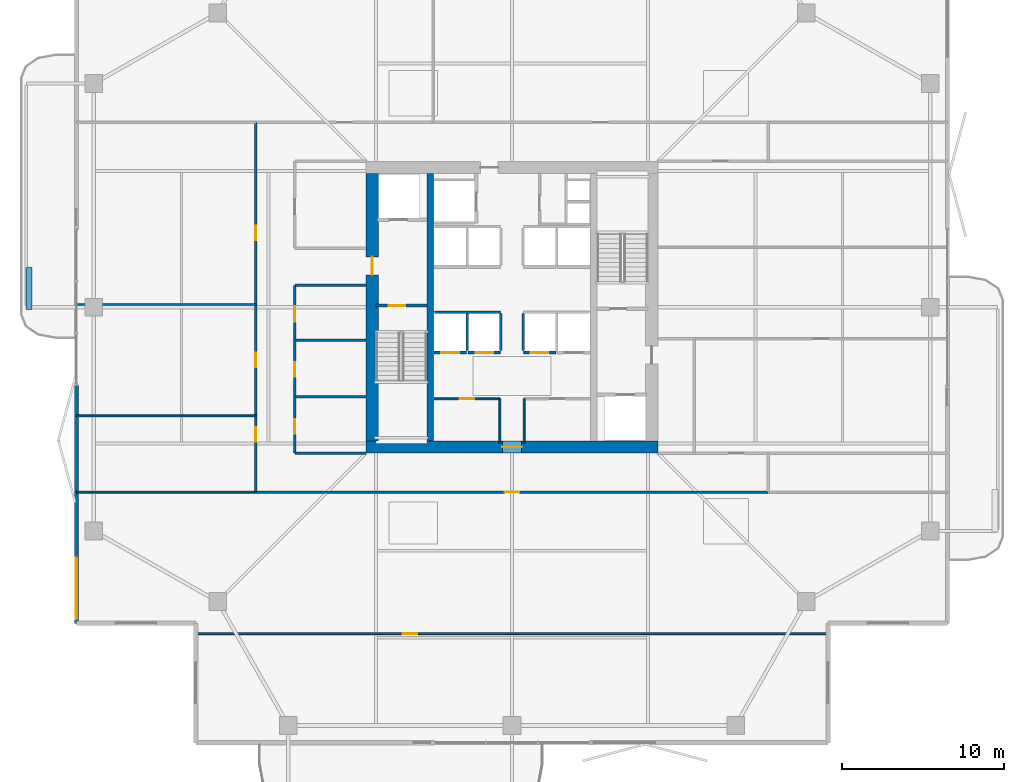
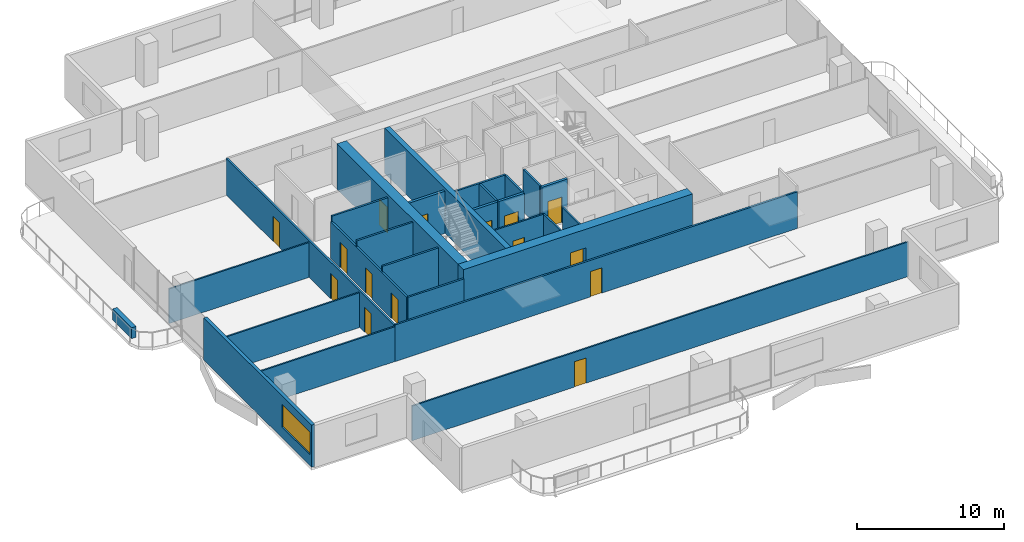
# One storey, part 17 of 24: 27 walls, 15 doors, 1 window, 16 openings.
"""IFC4 building model written with IfcOpenShell, lengths in metres."""

from ifc_helpers import new_model, si_unit, direction, frame, frame_2d, origin, place, context, subcontext, project, spatial, rectangle, extrude, material, layer, layer_set, type_object, element, fill, save


model = new_model("IFC4")

# Units and contexts
model_context = context("Model", 3, precision=1e-05, world=origin(), true_north=direction((0.0, 1.0)))
body_context = subcontext(model_context, "Body", "Model", "MODEL_VIEW")
ifc_project = project(units=[si_unit("LENGTHUNIT", "METRE"), si_unit("AREAUNIT", "SQUARE_METRE"), si_unit("VOLUMEUNIT", "CUBIC_METRE"), si_unit("PLANEANGLEUNIT", "RADIAN"), si_unit("MASSUNIT", "GRAM", prefix="KILO")], contexts=[model_context])

# Site, building, storey
site_placement = place(None, origin())
site = spatial("IfcSite", under=ifc_project, at=site_placement, CompositionType="ELEMENT")
building_placement = place(site_placement, origin())
building = spatial("IfcBuilding", under=site, at=building_placement, Name="Belovzor Exchange Tower", CompositionType="ELEMENT")
storey_placement = place(building_placement, frame((0.0, 0.0, 207.449951171875)))
storey = spatial("IfcBuildingStorey", under=building, at=storey_placement, Name="L51", CompositionType="ELEMENT", Elevation=207.449951171875)

# Wall, opening, door
ifc_material_1 = material(Name="Acoustic Plasterboard on Galvanised Studs", Category="gypsum")
ifc_layer_1 = layer(ifc_material_1, 0.1201171875)
ifc_layer_set_1 = layer_set([ifc_layer_1], Name="Acoustic Plasterboard on Galvanised Studs")
wall_type_1 = type_object("IfcWallType", Name="Acoustic Double-Stud Partition Wall 120", PredefinedType="PARTITIONING", material=ifc_layer_set_1)
wall_1_placement = place(storey_placement, frame((9.300048828125, 8.6650390625, 0.0), z_axis=(0.0, 0.0, 1.0), x_axis=(1.0, 0.0, 0.0)))
wall_1 = element("IfcWall", 1, at=wall_1_placement, inside=storey, type_object=wall_type_1, Name="W-P120 Partition Wall W-L51-SHDIV-0", PredefinedType="PARTITIONING", context=body_context, shape_type="SweptSolid", body=[
    extrude(rectangle(XDim=39.0, YDim=0.1201171875, at=frame_2d((19.5, 0.0))), origin(), (0.0, 0.0, 1.0), 2.885009765625),
])
opening_1_placement = place(wall_1_placement, frame((12.76708984375, 0.0, 0.0)))
opening_1 = element("IfcOpeningElement", 2, at=opening_1_placement, cuts=wall_1, Name="Opening D-INT-090", PredefinedType="OPENING", context=body_context, shape_type="SweptSolid", body=[
    extrude(rectangle(XDim=0.89990234375, YDim=2.10009765625, at=frame_2d((0.449951171875, 1.050048828125))), frame((0.0, 0.070068359375, 0.0), z_axis=(0.0, -1.0, 0.0), x_axis=(1.0, 0.0, 0.0)), (0.0, 0.0, 1.0), 0.14013671875),
])
ifc_material_2 = material(Name="Veneered Hardwood Acoustic Leaf", Category="wood")
door_type_1 = type_object("IfcDoorType", Name="Trading Suite Acoustic Single Door 900x2100", OperationType="NOTDEFINED", PredefinedType="DOOR", material=ifc_material_2)
door_1_placement = place(opening_1_placement, origin())
door_1 = element("IfcDoor", 3, at=door_1_placement, inside=storey, type_object=door_type_1, Name="D-INT-090 Trading Suite Acoustic Single Door 900x2100", OperationType="SINGLE_SWING_LEFT", OverallHeight=2.10009765625, OverallWidth=0.89990234375, PredefinedType="DOOR", context=body_context, shape_type="SweptSolid", body=[
    extrude(rectangle(XDim=0.89990234375, YDim=2.10009765625, at=frame_2d((0.449951171875, 1.050048828125))), frame((0.0, 0.02490234375, 0.0), z_axis=(0.0, -1.0, 0.0), x_axis=(1.0, 0.0, 0.0)), (0.0, 0.0, 1.0), 0.050048828125),
])
fill(opening_1, door_1)

# Walls
for number, where, z_axis, x_axis, name in (
    (4, (1.929931640625, 22.10009765625, 0.0), (0.0, 0.0, 1.0), (1.0, 0.0, 0.0), "W-P120 Partition Wall W-L51-WDIV-1"),
    (5, (1.929931640625, 28.968994140625, 0.0), (0.0, 0.0, 1.0), (1.0, 0.0, 0.0), "W-P120 Partition Wall W-L51-WDIV-2"),
    (6, (1.929931640625, 17.39990234375, 0.0), (0.0, 0.0, 1.0), (1.0, 0.0, 0.0), "W-P120 Partition Wall W-L51-END-SW"),
):
    element("IfcWall", number, at=place(storey_placement, frame(where, z_axis=z_axis, x_axis=x_axis)), inside=storey, type_object=wall_type_1, Name=name, PredefinedType="PARTITIONING", context=body_context, shape_type="SweptSolid", body=[
        extrude(rectangle(XDim=11.070068359375, YDim=0.1201171875, at=frame_2d((5.53515625, 0.0))), origin(), (0.0, 0.0, 1.0), 2.885009765625),
    ])

# Wall, opening, door
ifc_material_3 = material(Name="Fire-Rated Plasterboard on Galvanised Studs", Category="gypsum")
ifc_layer_2 = layer(ifc_material_3, 0.1201171875)
ifc_layer_set_2 = layer_set([ifc_layer_2], Name="Fire-Rated Plasterboard on Galvanised Studs")
wall_type_2 = type_object("IfcWallType", Name="Fire-Rated Double-Stud Partition Wall 120", PredefinedType="PARTITIONING", material=ifc_layer_set_2)
wall_2_placement = place(storey_placement, frame((24.0, 23.14990234375, 0.0), z_axis=(0.0, 0.0, 1.0), x_axis=(1.0, 0.0, 0.0)))
wall_2 = element("IfcWall", 7, at=wall_2_placement, inside=storey, type_object=wall_type_2, Name="W-P120F Partition Wall W-CRL-L51-WN", PredefinedType="PARTITIONING", context=body_context, shape_type="SweptSolid", body=[
    extrude(rectangle(XDim=4.050048828125, YDim=0.1201171875, at=frame_2d((2.02490234375, 0.0))), origin(), (0.0, 0.0, 1.0), 3.5),
])
opening_2_placement = place(wall_2_placement, frame((1.574951171875, 0.0, 0.0)))
opening_2 = element("IfcOpeningElement", 8, at=opening_2_placement, cuts=wall_2, Name="Opening D-FD60-090", PredefinedType="OPENING", context=body_context, shape_type="SweptSolid", body=[
    extrude(rectangle(XDim=0.89990234375, YDim=2.10009765625, at=frame_2d((0.449951171875, 1.050048828125))), frame((0.0, 0.070068359375, 0.0), z_axis=(0.0, -1.0, 0.0), x_axis=(1.0, 0.0, 0.0)), (0.0, 0.0, 1.0), 0.14013671875),
])
ifc_material_4 = material(Name="Acoustic Timber Fire Leaf", Category="wood")
door_type_2 = type_object("IfcDoorType", Name="Core Service & Restroom Fire Door 900x2100", OperationType="NOTDEFINED", PredefinedType="DOOR", material=ifc_material_4)
door_2_placement = place(opening_2_placement, origin())
door_2 = element("IfcDoor", 9, at=door_2_placement, inside=storey, type_object=door_type_2, Name="D-FD60-090 Core Service & Restroom Fire Door 900x2100", OperationType="SINGLE_SWING_LEFT", OverallHeight=2.10009765625, OverallWidth=0.89990234375, PredefinedType="DOOR", context=body_context, shape_type="SweptSolid", body=[
    extrude(rectangle(XDim=0.89990234375, YDim=2.10009765625, at=frame_2d((0.449951171875, 1.050048828125))), frame((0.0, 0.02490234375, 0.0), z_axis=(0.0, -1.0, 0.0), x_axis=(1.0, 0.0, 0.0)), (0.0, 0.0, 1.0), 0.050048828125),
])
fill(opening_2, door_2)

# Walls
for number, where, z_axis, x_axis, name in (
    (10, (28.050048828125, 20.39990234375, 0.0), (0.0, 0.0, 1.0), (0.0, 1.0, 0.0), "W-P120F Partition Wall W-CRL-L51-WE"),
    (11, (29.550048828125, 20.39990234375, 0.0), (0.0, 0.0, 1.0), (0.0, 1.0, 0.0), "W-P120F Partition Wall W-CRL-L51-EW"),
):
    element("IfcWall", number, at=place(storey_placement, frame(where, z_axis=z_axis, x_axis=x_axis)), inside=storey, type_object=wall_type_2, Name=name, PredefinedType="PARTITIONING", context=body_context, shape_type="SweptSolid", body=[
        extrude(rectangle(XDim=2.75, YDim=0.1201171875, at=frame_2d((1.375, 0.0))), origin(), (0.0, 0.0, 1.0), 3.5),
    ])
ifc_material_5 = material(Name="Fire-Rated Gypsum Block and Mineral Wool", Category="gypsum")
ifc_layer_3 = layer(ifc_material_5, 0.14990234375)
ifc_layer_set_3 = layer_set([ifc_layer_3], Name="Fire-Rated Gypsum Block and Mineral Wool")
wall_type_3 = type_object("IfcWallType", Name="Fire-Rated Gypsum Block Corridor Wall 150", PredefinedType="PARTITIONING", material=ifc_layer_set_3)
wall_3_placement = place(storey_placement, frame((15.39990234375, 19.800048828125, 0.0), z_axis=(0.0, 0.0, 1.0), x_axis=(1.0, 0.0, 0.0)))
element("IfcWall", 12, at=wall_3_placement, inside=storey, type_object=wall_type_3, Name="W-P150 Partition Wall W-L51-WIC-S", PredefinedType="PARTITIONING", context=body_context, shape_type="SweptSolid", body=[
    extrude(rectangle(XDim=4.400146484375, YDim=0.14990234375, at=frame_2d((2.2001953125, 0.0))), origin(), (0.0, 0.0, 1.0), 3.03515625),
])
for number, where, z_axis, x_axis, name in (
    (13, (15.39990234375, 23.27490234375, 0.0), (0.0, 0.0, 1.0), (1.0, 0.0, 0.0), "W-P150 Partition Wall W-L51-WIC-D1"),
    (14, (15.39990234375, 26.77490234375, 0.0), (0.0, 0.0, 1.0), (1.0, 0.0, 0.0), "W-P150 Partition Wall W-L51-WIC-D2"),
    (15, (15.39990234375, 30.14990234375, 0.0), (0.0, 0.0, 1.0), (1.0, 0.0, 0.0), "W-P150 Partition Wall W-L51-WIC-N"),
):
    element("IfcWall", number, at=place(storey_placement, frame(where, z_axis=z_axis, x_axis=x_axis)), inside=storey, type_object=wall_type_3, Name=name, PredefinedType="PARTITIONING", context=body_context, shape_type="SweptSolid", body=[
        extrude(rectangle(XDim=4.400146484375, YDim=0.14990234375, at=frame_2d((2.2001953125, 0.0))), origin(), (0.0, 0.0, 1.0), 3.5),
    ])

# Wall, openings, doors
wall_4_placement = place(storey_placement, frame((15.39990234375, 19.800048828125, 0.0), z_axis=(0.0, 0.0, 1.0), x_axis=(0.0, 1.0, 0.0)))
wall_4 = element("IfcWall", 16, at=wall_4_placement, inside=storey, type_object=wall_type_3, Name="W-P150 Partition Wall W-L51-WIE-S", PredefinedType="PARTITIONING", context=body_context, shape_type="SweptSolid", body=[
    extrude(rectangle(XDim=10.349853515625, YDim=0.14990234375, at=frame_2d((5.1748046875, 0.0))), origin(), (0.0, 0.0, 1.0), 3.03515625),
])
opening_3_placement = place(wall_4_placement, frame((1.199951171875, 0.0, 0.0)))
opening_3 = element("IfcOpeningElement", 17, at=opening_3_placement, cuts=wall_4, Name="Opening D-FD60-090", PredefinedType="OPENING", context=body_context, shape_type="SweptSolid", body=[
    extrude(rectangle(XDim=0.89990234375, YDim=2.10009765625, at=frame_2d((0.449951171875, 1.050048828125))), frame((0.0, 0.0849609375, 0.0), z_axis=(0.0, -1.0, 0.0), x_axis=(1.0, 0.0, 0.0)), (0.0, 0.0, 1.0), 0.169921875),
])
opening_4_placement = place(wall_4_placement, frame((4.699951171875, 0.0, 0.0)))
opening_4 = element("IfcOpeningElement", 18, at=opening_4_placement, cuts=wall_4, Name="Opening D-FD60-090", PredefinedType="OPENING", context=body_context, shape_type="SweptSolid", body=[
    extrude(rectangle(XDim=0.89990234375, YDim=2.10009765625, at=frame_2d((0.449951171875, 1.050048828125))), frame((0.0, 0.0849609375, 0.0), z_axis=(0.0, -1.0, 0.0), x_axis=(1.0, 0.0, 0.0)), (0.0, 0.0, 1.0), 0.169921875),
])
opening_5_placement = place(wall_4_placement, frame((8.10009765625, 0.0, 0.0)))
opening_5 = element("IfcOpeningElement", 19, at=opening_5_placement, cuts=wall_4, Name="Opening D-FD60-095", PredefinedType="OPENING", context=body_context, shape_type="SweptSolid", body=[
    extrude(rectangle(XDim=0.949951171875, YDim=2.10009765625, at=frame_2d((0.47509765625, 1.050048828125))), frame((0.0, 0.0849609375, 0.0), z_axis=(0.0, -1.0, 0.0), x_axis=(1.0, 0.0, 0.0)), (0.0, 0.0, 1.0), 0.169921875),
])
ifc_material_6 = material(Name="Moisture-Resistant Timber Fire Leaf", Category="wood")
door_type_3 = type_object("IfcDoorType", Name="Accessible Restroom Wide Fire Door 950x2100", OperationType="NOTDEFINED", PredefinedType="DOOR", material=ifc_material_6)
door_3_placement = place(opening_5_placement, origin())
door_3 = element("IfcDoor", 20, at=door_3_placement, inside=storey, type_object=door_type_3, Name="D-FD60-095 Accessible Restroom Wide Fire Door 950x2100", OperationType="SINGLE_SWING_LEFT", OverallHeight=2.10009765625, OverallWidth=0.949951171875, PredefinedType="DOOR", context=body_context, shape_type="SweptSolid", body=[
    extrude(rectangle(XDim=0.949951171875, YDim=2.10009765625, at=frame_2d((0.47509765625, 1.050048828125))), frame((0.0, 0.02490234375, 0.0), z_axis=(0.0, -1.0, 0.0), x_axis=(1.0, 0.0, 0.0)), (0.0, 0.0, 1.0), 0.050048828125),
])
fill(opening_5, door_3)
door_4_placement = place(opening_3_placement, origin())
door_4 = element("IfcDoor", 21, at=door_4_placement, inside=storey, type_object=door_type_2, Name="D-FD60-090 Core Service & Restroom Fire Door 900x2100", OperationType="SINGLE_SWING_LEFT", OverallHeight=2.10009765625, OverallWidth=0.89990234375, PredefinedType="DOOR", context=body_context, shape_type="SweptSolid", body=[
    extrude(rectangle(XDim=0.89990234375, YDim=2.10009765625, at=frame_2d((0.449951171875, 1.050048828125))), frame((0.0, 0.02490234375, 0.0), z_axis=(0.0, -1.0, 0.0), x_axis=(1.0, 0.0, 0.0)), (0.0, 0.0, 1.0), 0.050048828125),
])
fill(opening_3, door_4)
door_5_placement = place(opening_4_placement, origin())
door_5 = element("IfcDoor", 22, at=door_5_placement, inside=storey, type_object=door_type_2, Name="D-FD60-090 Core Service & Restroom Fire Door 900x2100", OperationType="SINGLE_SWING_RIGHT", OverallHeight=2.10009765625, OverallWidth=0.89990234375, PredefinedType="DOOR", context=body_context, shape_type="SweptSolid", body=[
    extrude(rectangle(XDim=0.89990234375, YDim=2.10009765625, at=frame_2d((0.449951171875, 1.050048828125))), frame((0.0, 0.02490234375, 0.0), z_axis=(0.0, -1.0, 0.0), x_axis=(1.0, 0.0, 0.0)), (0.0, 0.0, 1.0), 0.050048828125),
])
fill(opening_4, door_5)

# Wall, opening, door
wall_5_placement = place(storey_placement, frame((13.0, 17.39990234375, 0.0), z_axis=(0.0, 0.0, 1.0), x_axis=(1.0, 0.0, 0.0)))
wall_5 = element("IfcWall", 23, at=wall_5_placement, inside=storey, type_object=wall_type_3, Name="W-P150 Partition Wall W-L51-CS", PredefinedType="PARTITIONING", context=body_context, shape_type="SweptSolid", body=[
    extrude(rectangle(XDim=31.60009765625, YDim=0.14990234375, at=frame_2d((15.800048828125, 0.0))), origin(), (0.0, 0.0, 1.0), 3.03515625),
])
opening_6_placement = place(wall_5_placement, frame((15.35009765625, 0.0, 0.0)))
opening_6 = element("IfcOpeningElement", 24, at=opening_6_placement, cuts=wall_5, Name="Opening D-INT-090", PredefinedType="OPENING", context=body_context, shape_type="SweptSolid", body=[
    extrude(rectangle(XDim=0.89990234375, YDim=2.10009765625, at=frame_2d((0.449951171875, 1.050048828125))), frame((0.0, 0.0849609375, 0.0), z_axis=(0.0, -1.0, 0.0), x_axis=(1.0, 0.0, 0.0)), (0.0, 0.0, 1.0), 0.169921875),
])
door_6_placement = place(opening_6_placement, origin())
door_6 = element("IfcDoor", 25, at=door_6_placement, inside=storey, type_object=door_type_1, Name="D-INT-090 Trading Suite Acoustic Single Door 900x2100", OperationType="SINGLE_SWING_RIGHT", OverallHeight=2.10009765625, OverallWidth=0.89990234375, PredefinedType="DOOR", context=body_context, shape_type="SweptSolid", body=[
    extrude(rectangle(XDim=0.89990234375, YDim=2.10009765625, at=frame_2d((0.449951171875, 1.050048828125))), frame((0.0, 0.02490234375, 0.0), z_axis=(0.0, -1.0, 0.0), x_axis=(1.0, 0.0, 0.0)), (0.0, 0.0, 1.0), 0.050048828125),
])
fill(opening_6, door_6)

# Wall, openings, doors
wall_6_placement = place(storey_placement, frame((13.0, 17.39990234375, 0.0), z_axis=(0.0, 0.0, 1.0), x_axis=(0.0, 1.0, 0.0)))
wall_6 = element("IfcWall", 26, at=wall_6_placement, inside=storey, type_object=wall_type_3, Name="W-P150 Partition Wall W-L51-CWO", PredefinedType="PARTITIONING", context=body_context, shape_type="SweptSolid", body=[
    extrude(rectangle(XDim=22.800048828125, YDim=0.14990234375, at=frame_2d((11.39990234375, 0.0))), origin(), (0.0, 0.0, 1.0), 3.03515625),
])
opening_7_placement = place(wall_6_placement, frame((3.10009765625, 0.0, 0.0)))
opening_7 = element("IfcOpeningElement", 27, at=opening_7_placement, cuts=wall_6, Name="Opening D-INT-090", PredefinedType="OPENING", context=body_context, shape_type="SweptSolid", body=[
    extrude(rectangle(XDim=0.89990234375, YDim=2.10009765625, at=frame_2d((0.449951171875, 1.050048828125))), frame((0.0, 0.0849609375, 0.0), z_axis=(0.0, -1.0, 0.0), x_axis=(1.0, 0.0, 0.0)), (0.0, 0.0, 1.0), 0.169921875),
])
opening_8_placement = place(wall_6_placement, frame((7.68505859375, 0.0, 0.0)))
opening_8 = element("IfcOpeningElement", 28, at=opening_8_placement, cuts=wall_6, Name="Opening D-INT-090", PredefinedType="OPENING", context=body_context, shape_type="SweptSolid", body=[
    extrude(rectangle(XDim=0.89990234375, YDim=2.10009765625, at=frame_2d((0.449951171875, 1.050048828125))), frame((0.0, 0.0849609375, 0.0), z_axis=(0.0, -1.0, 0.0), x_axis=(1.0, 0.0, 0.0)), (0.0, 0.0, 1.0), 0.169921875),
])
opening_9_placement = place(wall_6_placement, frame((15.534912109375, 0.0, 0.0)))
opening_9 = element("IfcOpeningElement", 29, at=opening_9_placement, cuts=wall_6, Name="Opening D-INT-090", PredefinedType="OPENING", context=body_context, shape_type="SweptSolid", body=[
    extrude(rectangle(XDim=0.89990234375, YDim=2.10009765625, at=frame_2d((0.449951171875, 1.050048828125))), frame((0.0, 0.0849609375, 0.0), z_axis=(0.0, -1.0, 0.0), x_axis=(1.0, 0.0, 0.0)), (0.0, 0.0, 1.0), 0.169921875),
])
door_7_placement = place(opening_7_placement, origin())
door_7 = element("IfcDoor", 30, at=door_7_placement, inside=storey, type_object=door_type_1, Name="D-INT-090 Trading Suite Acoustic Single Door 900x2100", OperationType="SINGLE_SWING_LEFT", OverallHeight=2.10009765625, OverallWidth=0.89990234375, PredefinedType="DOOR", context=body_context, shape_type="SweptSolid", body=[
    extrude(rectangle(XDim=0.89990234375, YDim=2.10009765625, at=frame_2d((0.449951171875, 1.050048828125))), frame((0.0, 0.02490234375, 0.0), z_axis=(0.0, -1.0, 0.0), x_axis=(1.0, 0.0, 0.0)), (0.0, 0.0, 1.0), 0.050048828125),
])
fill(opening_7, door_7)
door_8_placement = place(opening_8_placement, origin())
door_8 = element("IfcDoor", 31, at=door_8_placement, inside=storey, type_object=door_type_1, Name="D-INT-090 Trading Suite Acoustic Single Door 900x2100", OperationType="SINGLE_SWING_LEFT", OverallHeight=2.10009765625, OverallWidth=0.89990234375, PredefinedType="DOOR", context=body_context, shape_type="SweptSolid", body=[
    extrude(rectangle(XDim=0.89990234375, YDim=2.10009765625, at=frame_2d((0.449951171875, 1.050048828125))), frame((0.0, 0.02490234375, 0.0), z_axis=(0.0, -1.0, 0.0), x_axis=(1.0, 0.0, 0.0)), (0.0, 0.0, 1.0), 0.050048828125),
])
fill(opening_8, door_8)
door_9_placement = place(opening_9_placement, origin())
door_9 = element("IfcDoor", 32, at=door_9_placement, inside=storey, type_object=door_type_1, Name="D-INT-090 Trading Suite Acoustic Single Door 900x2100", OperationType="SINGLE_SWING_LEFT", OverallHeight=2.10009765625, OverallWidth=0.89990234375, PredefinedType="DOOR", context=body_context, shape_type="SweptSolid", body=[
    extrude(rectangle(XDim=0.89990234375, YDim=2.10009765625, at=frame_2d((0.449951171875, 1.050048828125))), frame((0.0, 0.02490234375, 0.0), z_axis=(0.0, -1.0, 0.0), x_axis=(1.0, 0.0, 0.0)), (0.0, 0.0, 1.0), 0.050048828125),
])
fill(opening_9, door_9)

# Wall, opening, window
ifc_material_7 = material(Name="Precast concrete C40/50", Category="concrete")
ifc_layer_4 = layer(ifc_material_7, 0.260009765625)
ifc_layer_set_4 = layer_set([ifc_layer_4], Name="Precast concrete C40/50")
wall_type_4 = type_object("IfcWallType", Name="Precast Concrete Perimeter Loggia Frame Wall 260", PredefinedType="SOLIDWALL", material=ifc_layer_set_4)
wall_7_placement = place(storey_placement, frame((1.929931640625, 9.300048828125, 0.0), z_axis=(0.0, 0.0, 1.0), x_axis=(0.0, 1.0, 0.0)))
wall_7 = element("IfcWall", 33, at=wall_7_placement, inside=storey, type_object=wall_type_4, Name="W-EXT260 Precast Concrete Perimeter Loggia Frame Wall 260 L51", PredefinedType="SOLIDWALL", context=body_context, shape_type="SweptSolid", body=[
    extrude(rectangle(XDim=14.699951171875, YDim=0.260009765625, at=frame_2d((7.35009765625, 0.0))), origin(), (0.0, 0.0, 1.0), 3.5),
])
opening_10_placement = place(wall_7_placement, frame((0.25, 0.0, 0.89990234375)))
opening_10 = element("IfcOpeningElement", 34, at=opening_10_placement, cuts=wall_7, Name="Opening WN-RIB380", PredefinedType="OPENING", context=body_context, shape_type="SweptSolid", body=[
    extrude(rectangle(XDim=3.800048828125, YDim=1.89990234375, at=frame_2d((1.89990234375, 0.949951171875))), frame((0.0, 0.139892578125, 0.0), z_axis=(0.0, -1.0, 0.0), x_axis=(1.0, 0.0, 0.0)), (0.0, 0.0, 1.0), 0.280029296875),
])
ifc_material_8 = material(Name="Thermally Broken Aluminium and Triple Glazing", Category="aluminium")
window_type = type_object("IfcWindowType", Name="Streamline Moderne Horizontal Ribbon Window 3800x1900", PartitioningType="SINGLE_PANEL", PredefinedType="WINDOW", material=ifc_material_8)
window_placement = place(opening_10_placement, origin())
window = element("IfcWindow", 35, at=window_placement, inside=storey, type_object=window_type, Name="WN-RIB380 Streamline Moderne Horizontal Ribbon Window 3800x1900", OverallHeight=1.89990234375, OverallWidth=3.800048828125, PartitioningType="SINGLE_PANEL", PredefinedType="WINDOW", context=body_context, shape_type="SweptSolid", body=[
    extrude(rectangle(XDim=3.800048828125, YDim=1.89990234375, at=frame_2d((1.89990234375, 0.949951171875))), frame((0.0, 0.030029296875, 0.0), z_axis=(0.0, -1.0, 0.0), x_axis=(1.0, 0.0, 0.0)), (0.0, 0.0, 1.0), 0.06005859375),
])
fill(opening_10, window)

# Walls
ifc_material_9 = material(Name="Precast concrete C40/50", Category="concrete")
ifc_layer_5 = layer(ifc_material_9, 0.35009765625)
ifc_layer_set_5 = layer_set([ifc_layer_5], Name="Precast concrete C40/50")
wall_type_5 = type_object("IfcWallType", Name="Precast Concrete Structural Tree Planter Trough 350", PredefinedType="PARAPET", material=ifc_layer_set_5)
wall_8_placement = place(storey_placement, frame((-1.0, 28.64990234375, 0.0), z_axis=(0.0, 0.0, 1.0), x_axis=(0.0, 1.0, 0.0)))
element("IfcWall", 36, at=wall_8_placement, inside=storey, type_object=wall_type_5, Name="PT-350 Precast Concrete Structural Tree Planter Trough 350 L51", PredefinedType="PARAPET", context=body_context, shape_type="SweptSolid", body=[
    extrude(rectangle(XDim=2.60009765625, YDim=0.35009765625, at=frame_2d((1.300048828125, 0.0))), origin(), (0.0, 0.0, 1.0), 0.900146484375),
])
ifc_material_10 = material(Name="Concrete C50/60", Category="concrete")
ifc_layer_6 = layer(ifc_material_10, 0.39990234375)
ifc_layer_set_6 = layer_set([ifc_layer_6], Name="Concrete C50/60")
wall_type_6 = type_object("IfcWallType", Name="Reinforced Concrete Core Internal Web Wall 400", PredefinedType="SHEAR", material=ifc_layer_set_6)
wall_9_placement = place(storey_placement, frame((23.75, 20.550048828125, 0.0), z_axis=(0.0, 0.0, 1.0), x_axis=(0.0, 1.0, 0.0)))
element("IfcWall", 37, at=wall_9_placement, inside=storey, type_object=wall_type_6, Name="CW-W040 Core Internal Web Wall L51 WL", PredefinedType="SHEAR", context=body_context, shape_type="SweptSolid", body=[
    extrude(rectangle(XDim=16.5, YDim=0.39990234375, at=frame_2d((8.25, 0.0))), origin(), (0.0, 0.0, 1.0), 3.75),
])
ifc_material_11 = material(Name="Concrete C50/60", Category="concrete")
ifc_layer_7 = layer(ifc_material_11, 0.14990234375)
ifc_layer_set_7 = layer_set([ifc_layer_7], Name="Concrete C50/60")
wall_type_7 = type_object("IfcWallType", Name="Reinforced Concrete Core Riser Shear Wall 150", PredefinedType="SHEAR", material=ifc_layer_set_7)
wall_10_placement = place(storey_placement, frame((24.02001953125, 28.5, 0.0), z_axis=(0.0, 0.0, 1.0), x_axis=(1.0, 0.0, 0.0)))
element("IfcWall", 38, at=wall_10_placement, inside=storey, type_object=wall_type_7, Name="W-C150S Core Shaft Wall W-SHB-L51-PLM-NW", PredefinedType="SHEAR", context=body_context, shape_type="SweptSolid", body=[
    extrude(rectangle(XDim=4.080078125, YDim=0.14990234375, at=frame_2d((2.0400390625, 0.0))), origin(), (0.0, 0.0, 1.0), 3.5),
])
for number, where, z_axis, x_axis, name in (
    (39, (26.050048828125, 26.1201171875, 0.0), (0.0, 0.0, 1.0), (0.0, 1.0, 0.0), "W-C150S Core Shaft Wall W-SHD-L51-PLM-1"),
    (40, (28.10009765625, 26.1201171875, 0.0), (0.0, 0.0, 1.0), (0.0, 1.0, 0.0), "W-C150S Core Shaft Wall W-SHD-L51-PLM-2"),
    (41, (29.5, 26.1201171875, 0.0), (0.0, 0.0, 1.0), (0.0, 1.0, 0.0), "W-C150S Core Shaft Wall W-SHD-L51-PLM-3"),
):
    element("IfcWall", number, at=place(storey_placement, frame(where, z_axis=z_axis, x_axis=x_axis)), inside=storey, type_object=wall_type_7, Name=name, PredefinedType="SHEAR", context=body_context, shape_type="SweptSolid", body=[
        extrude(rectangle(XDim=2.27978515625, YDim=0.14990234375, at=frame_2d((1.139892578125, 0.0))), origin(), (0.0, 0.0, 1.0), 3.5),
    ])

# Wall, opening, door
ifc_material_12 = material(Name="Concrete C50/60", Category="concrete")
ifc_layer_8 = layer(ifc_material_12, 0.199951171875)
ifc_layer_set_8 = layer_set([ifc_layer_8], Name="Concrete C50/60")
wall_type_8 = type_object("IfcWallType", Name="Reinforced Concrete Core Shaft Shear Wall 200", PredefinedType="SHEAR", material=ifc_layer_set_8)
wall_11_placement = place(storey_placement, frame((20.39990234375, 28.89990234375, 0.0), z_axis=(0.0, 0.0, 1.0), x_axis=(1.0, 0.0, 0.0)))
wall_11 = element("IfcWall", 42, at=wall_11_placement, inside=storey, type_object=wall_type_8, Name="W-C200S Core Shaft Wall W-CORE-L51-FFLW1", PredefinedType="SHEAR", context=body_context, shape_type="SweptSolid", body=[
    extrude(rectangle(XDim=3.150146484375, YDim=0.199951171875, at=frame_2d((1.5751953125, 0.0))), origin(), (0.0, 0.0, 1.0), 3.5),
])
opening_11_placement = place(wall_11_placement, frame((0.800048828125, 0.0, 0.0)))
opening_11 = element("IfcOpeningElement", 43, at=opening_11_placement, cuts=wall_11, Name="Opening D-FD90-100", PredefinedType="OPENING", context=body_context, shape_type="SweptSolid", body=[
    extrude(rectangle(XDim=1.0, YDim=2.10009765625, at=frame_2d((0.5, 1.050048828125))), frame((0.0, 0.10986328125, 0.0), z_axis=(0.0, -1.0, 0.0), x_axis=(1.0, 0.0, 0.0)), (0.0, 0.0, 1.0), 0.219970703125),
])
ifc_material_13 = material(Name="Fire-Rated Galvanised Steel Leaf", Category="steel")
door_type_4 = type_object("IfcDoorType", Name="Protected Stairwell Single Fire Door 1000x2100", OperationType="NOTDEFINED", PredefinedType="DOOR", material=ifc_material_13)
door_10_placement = place(opening_11_placement, origin())
door_10 = element("IfcDoor", 44, at=door_10_placement, inside=storey, type_object=door_type_4, Name="D-FD90-100 Protected Stairwell Single Fire Door 1000x2100", OperationType="SINGLE_SWING_RIGHT", OverallHeight=2.10009765625, OverallWidth=1.0, PredefinedType="DOOR", context=body_context, shape_type="SweptSolid", body=[
    extrude(rectangle(XDim=1.0, YDim=2.10009765625, at=frame_2d((0.5, 1.050048828125))), frame((0.0, 0.02490234375, 0.0), z_axis=(0.0, -1.0, 0.0), x_axis=(1.0, 0.0, 0.0)), (0.0, 0.0, 1.0), 0.050048828125),
])
fill(opening_11, door_10)

wall_12_placement = place(storey_placement, frame((24.0, 26.0, 0.0), z_axis=(0.0, 0.0, 1.0), x_axis=(1.0, 0.0, 0.0)))
wall_12 = element("IfcWall", 45, at=wall_12_placement, inside=storey, type_object=wall_type_8, Name="W-C200S Core Shaft Wall W-SH-L51-PL-M1", PredefinedType="SHEAR", context=body_context, shape_type="SweptSolid", body=[
    extrude(rectangle(XDim=2.0, YDim=0.199951171875, at=frame_2d((1.0, 0.0))), origin(), (0.0, 0.0, 1.0), 3.5),
])
opening_12_placement = place(wall_12_placement, frame((0.449951171875, 0.0, 0.0)))
opening_12 = element("IfcOpeningElement", 46, at=opening_12_placement, cuts=wall_12, Name="Opening LD-110", PredefinedType="OPENING", context=body_context, shape_type="SweptSolid", body=[
    extrude(rectangle(XDim=1.10009765625, YDim=2.14990234375, at=frame_2d((0.550048828125, 1.074951171875))), frame((0.0, 0.10986328125, 0.0), z_axis=(0.0, -1.0, 0.0), x_axis=(1.0, 0.0, 0.0)), (0.0, 0.0, 1.0), 0.219970703125),
])
ifc_material_14 = material(Name="Stainless Steel Grade 304", Category="steel")
door_type_5 = type_object("IfcDoorType", Name="Automated Stainless Steel Lift Landing Door 1100x2150", OperationType="SLIDING_TO_RIGHT", PredefinedType="DOOR", material=ifc_material_14)
door_11_placement = place(opening_12_placement, origin())
door_11 = element("IfcDoor", 47, at=door_11_placement, inside=storey, type_object=door_type_5, Name="LD-110 Automated Stainless Steel Lift Landing Door 1100x2150", OperationType="SLIDING_TO_RIGHT", OverallHeight=2.14990234375, OverallWidth=1.10009765625, PredefinedType="DOOR", context=body_context, shape_type="SweptSolid", body=[
    extrude(rectangle(XDim=1.10009765625, YDim=2.14990234375, at=frame_2d((0.550048828125, 1.074951171875))), frame((0.0, 0.02490234375, 0.0), z_axis=(0.0, -1.0, 0.0), x_axis=(1.0, 0.0, 0.0)), (0.0, 0.0, 1.0), 0.050048828125),
])
fill(opening_12, door_11)

wall_13_placement = place(storey_placement, frame((26.10009765625, 26.0, 0.0), z_axis=(0.0, 0.0, 1.0), x_axis=(1.0, 0.0, 0.0)))
wall_13 = element("IfcWall", 48, at=wall_13_placement, inside=storey, type_object=wall_type_8, Name="W-C200S Core Shaft Wall W-SH-L51-PL-M2", PredefinedType="SHEAR", context=body_context, shape_type="SweptSolid", body=[
    extrude(rectangle(XDim=2.0, YDim=0.199951171875, at=frame_2d((1.0, 0.0))), origin(), (0.0, 0.0, 1.0), 3.5),
])
opening_13_placement = place(wall_13_placement, frame((0.449951171875, 0.0, 0.0)))
opening_13 = element("IfcOpeningElement", 49, at=opening_13_placement, cuts=wall_13, Name="Opening LD-110", PredefinedType="OPENING", context=body_context, shape_type="SweptSolid", body=[
    extrude(rectangle(XDim=1.10009765625, YDim=2.14990234375, at=frame_2d((0.550048828125, 1.074951171875))), frame((0.0, 0.10986328125, 0.0), z_axis=(0.0, -1.0, 0.0), x_axis=(1.0, 0.0, 0.0)), (0.0, 0.0, 1.0), 0.219970703125),
])
door_12_placement = place(opening_13_placement, origin())
door_12 = element("IfcDoor", 50, at=door_12_placement, inside=storey, type_object=door_type_5, Name="LD-110 Automated Stainless Steel Lift Landing Door 1100x2150", OperationType="SLIDING_TO_RIGHT", OverallHeight=2.14990234375, OverallWidth=1.10009765625, PredefinedType="DOOR", context=body_context, shape_type="SweptSolid", body=[
    extrude(rectangle(XDim=1.10009765625, YDim=2.14990234375, at=frame_2d((0.550048828125, 1.074951171875))), frame((0.0, 0.02490234375, 0.0), z_axis=(0.0, -1.0, 0.0), x_axis=(1.0, 0.0, 0.0)), (0.0, 0.0, 1.0), 0.050048828125),
])
fill(opening_13, door_12)

wall_14_placement = place(storey_placement, frame((29.5, 26.0, 0.0), z_axis=(0.0, 0.0, 1.0), x_axis=(1.0, 0.0, 0.0)))
wall_14 = element("IfcWall", 51, at=wall_14_placement, inside=storey, type_object=wall_type_8, Name="W-C200S Core Shaft Wall W-SH-L51-PL-M3", PredefinedType="SHEAR", context=body_context, shape_type="SweptSolid", body=[
    extrude(rectangle(XDim=2.0, YDim=0.199951171875, at=frame_2d((1.0, 0.0))), origin(), (0.0, 0.0, 1.0), 3.5),
])
opening_14_placement = place(wall_14_placement, frame((0.449951171875, 0.0, 0.0)))
opening_14 = element("IfcOpeningElement", 52, at=opening_14_placement, cuts=wall_14, Name="Opening LD-110", PredefinedType="OPENING", context=body_context, shape_type="SweptSolid", body=[
    extrude(rectangle(XDim=1.10009765625, YDim=2.14990234375, at=frame_2d((0.550048828125, 1.074951171875))), frame((0.0, 0.10986328125, 0.0), z_axis=(0.0, -1.0, 0.0), x_axis=(1.0, 0.0, 0.0)), (0.0, 0.0, 1.0), 0.219970703125),
])
door_13_placement = place(opening_14_placement, origin())
door_13 = element("IfcDoor", 53, at=door_13_placement, inside=storey, type_object=door_type_5, Name="LD-110 Automated Stainless Steel Lift Landing Door 1100x2150", OperationType="SLIDING_TO_RIGHT", OverallHeight=2.14990234375, OverallWidth=1.10009765625, PredefinedType="DOOR", context=body_context, shape_type="SweptSolid", body=[
    extrude(rectangle(XDim=1.10009765625, YDim=2.14990234375, at=frame_2d((0.550048828125, 1.074951171875))), frame((0.0, 0.02490234375, 0.0), z_axis=(0.0, -1.0, 0.0), x_axis=(1.0, 0.0, 0.0)), (0.0, 0.0, 1.0), 0.050048828125),
])
fill(opening_14, door_13)

ifc_material_15 = material(Name="Concrete C50/60", Category="concrete")
ifc_layer_9 = layer(ifc_material_15, 0.75)
ifc_layer_set_9 = layer_set([ifc_layer_9], Name="Concrete C50/60")
wall_type_9 = type_object("IfcWallType", Name="Reinforced Concrete Core Shear Wall 750", PredefinedType="SHEAR", material=ifc_layer_set_9)
wall_15_placement = place(storey_placement, frame((19.800048828125, 20.175048828125, 0.0), z_axis=(0.0, 0.0, 1.0), x_axis=(1.0, 0.0, 0.0)))
wall_15 = element("IfcWall", 54, at=wall_15_placement, inside=storey, type_object=wall_type_9, Name="CW-S075 Core Shear Wall L51 S", PredefinedType="SHEAR", context=body_context, shape_type="SweptSolid", body=[
    extrude(rectangle(XDim=18.0, YDim=0.75, at=frame_2d((9.0, 0.0))), origin(), (0.0, 0.0, 1.0), 3.75),
])
opening_15_placement = place(wall_15_placement, frame((8.39990234375, 0.0, 0.0)))
opening_15 = element("IfcOpeningElement", 55, at=opening_15_placement, cuts=wall_15, Name="Opening D-FD90-120", PredefinedType="OPENING", context=body_context, shape_type="SweptSolid", body=[
    extrude(rectangle(XDim=1.199951171875, YDim=2.199951171875, at=frame_2d((0.60009765625, 1.10009765625))), frame((0.0, 0.385009765625, 0.0), z_axis=(0.0, -1.0, 0.0), x_axis=(1.0, 0.0, 0.0)), (0.0, 0.0, 1.0), 0.77001953125),
])
ifc_material_16 = material(Name="Fire-Rated Galvanised Steel Leaf", Category="steel")
door_type_6 = type_object("IfcDoorType", Name="Heavy Plant & Foyer Fire Door 1200x2200", OperationType="NOTDEFINED", PredefinedType="DOOR", material=ifc_material_16)
door_14_placement = place(opening_15_placement, origin())
door_14 = element("IfcDoor", 56, at=door_14_placement, inside=storey, type_object=door_type_6, Name="D-FD90-120 Heavy Plant & Foyer Fire Door 1200x2200", OperationType="SINGLE_SWING_LEFT", OverallHeight=2.199951171875, OverallWidth=1.199951171875, PredefinedType="DOOR", context=body_context, shape_type="SweptSolid", body=[
    extrude(rectangle(XDim=1.199951171875, YDim=2.199951171875, at=frame_2d((0.60009765625, 1.10009765625))), frame((0.0, 0.02490234375, 0.0), z_axis=(0.0, -1.0, 0.0), x_axis=(1.0, 0.0, 0.0)), (0.0, 0.0, 1.0), 0.050048828125),
])
fill(opening_15, door_14)

wall_16_placement = place(storey_placement, frame((20.175048828125, 20.550048828125, 0.0), z_axis=(0.0, 0.0, 1.0), x_axis=(0.0, 1.0, 0.0)))
wall_16 = element("IfcWall", 57, at=wall_16_placement, inside=storey, type_object=wall_type_9, Name="CW-S075 Core Shear Wall L51 W", PredefinedType="SHEAR", context=body_context, shape_type="SweptSolid", body=[
    extrude(rectangle(XDim=16.5, YDim=0.75, at=frame_2d((8.25, 0.0))), origin(), (0.0, 0.0, 1.0), 3.75),
])
opening_16_placement = place(wall_16_placement, frame((10.25, 0.0, 0.0)))
opening_16 = element("IfcOpeningElement", 58, at=opening_16_placement, cuts=wall_16, Name="Opening D-FD90-110", PredefinedType="OPENING", context=body_context, shape_type="SweptSolid", body=[
    extrude(rectangle(XDim=1.10009765625, YDim=2.14990234375, at=frame_2d((0.550048828125, 1.074951171875))), frame((0.0, 0.385009765625, 0.0), z_axis=(0.0, -1.0, 0.0), x_axis=(1.0, 0.0, 0.0)), (0.0, 0.0, 1.0), 0.77001953125),
])
ifc_material_17 = material(Name="Fire-Rated Galvanised Steel Leaf", Category="steel")
door_type_7 = type_object("IfcDoorType", Name="Protected Escape Vestibule Fire Door 1100x2150", OperationType="NOTDEFINED", PredefinedType="DOOR", material=ifc_material_17)
door_15_placement = place(opening_16_placement, origin())
door_15 = element("IfcDoor", 59, at=door_15_placement, inside=storey, type_object=door_type_7, Name="D-FD90-110 Protected Escape Vestibule Fire Door 1100x2150", OperationType="SINGLE_SWING_LEFT", OverallHeight=2.14990234375, OverallWidth=1.10009765625, PredefinedType="DOOR", context=body_context, shape_type="SweptSolid", body=[
    extrude(rectangle(XDim=1.10009765625, YDim=2.14990234375, at=frame_2d((0.550048828125, 1.074951171875))), frame((0.0, 0.02490234375, 0.0), z_axis=(0.0, -1.0, 0.0), x_axis=(1.0, 0.0, 0.0)), (0.0, 0.0, 1.0), 0.050048828125),
])
fill(opening_16, door_15)

save(model, "model.ifc")
